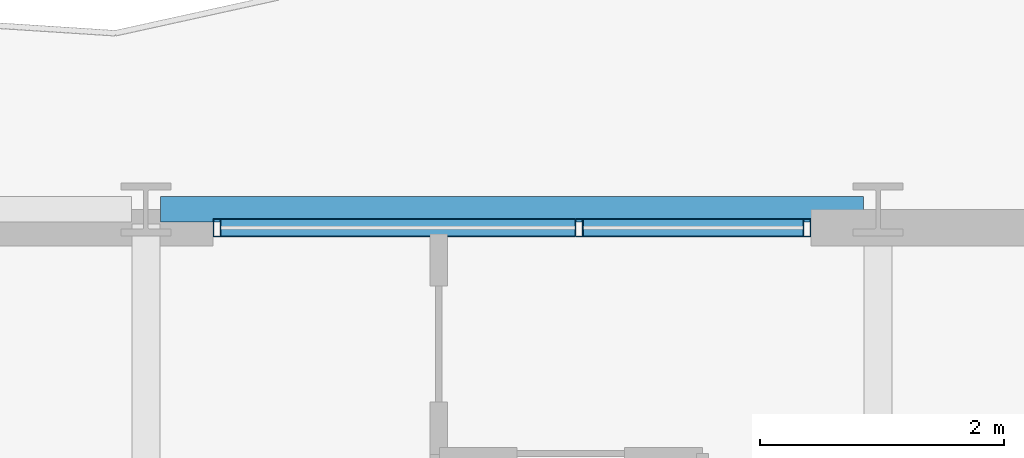
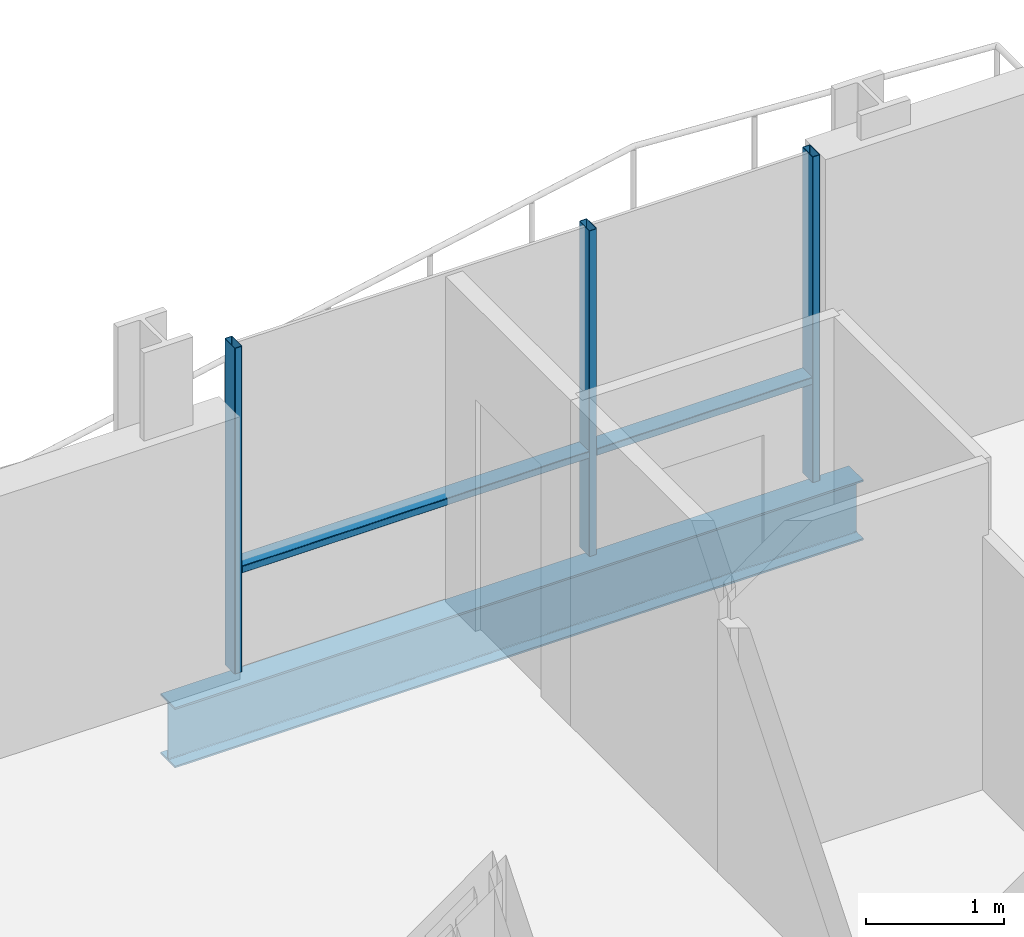
# One storey, part 24 of 40: 5 members, 1 beam, 1 element without a shape of its own.
"""IFC4 building model written with IfcOpenShell, lengths in metres."""

from ifc_helpers import new_model, si_unit, direction, frame, origin, origin_2d, place, context, subcontext, project, spatial, hollow_rectangle, i_section, extrude, material, layer, layer_set, material_profile, profile_set, type_object, element, aggregate, save


model = new_model("IFC4")

# Units and contexts
model_context = context("Model", 3, precision=1e-05, world=origin(), true_north=direction((0.0, 1.0)))
body_context = subcontext(model_context, "Body", "Model", "MODEL_VIEW")
ifc_project = project(units=[si_unit("LENGTHUNIT", "METRE"), si_unit("AREAUNIT", "SQUARE_METRE"), si_unit("VOLUMEUNIT", "CUBIC_METRE"), si_unit("PLANEANGLEUNIT", "RADIAN"), si_unit("MASSUNIT", "GRAM", prefix="KILO")], contexts=[model_context])

# Site, building, storey
site_placement = place(None, origin())
site = spatial("IfcSite", under=ifc_project, at=site_placement, CompositionType="ELEMENT")
building_placement = place(site_placement, origin())
building = spatial("IfcBuilding", under=site, at=building_placement, Name="Brevholm Reach", CompositionType="ELEMENT")
storey_placement = place(building_placement, frame((0.0, 0.0, 125.199951171875)))
storey = spatial("IfcBuildingStorey", under=building, at=storey_placement, Name="L37", CompositionType="ELEMENT", Elevation=125.199951171875)

# Beam
ifc_material_1 = material(Name="Structural Steel S355J2", Category="steel")
ifc_material_profile_1 = material_profile(ifc_material_1, i_section(OverallWidth=0.209228515625, OverallDepth=0.533203125, WebThickness=0.010009765625, FlangeThickness=0.015625, FilletRadius=0.0126953125, at=origin_2d()), Name="UKB 533x210x92")
ifc_profile_set_1 = profile_set([ifc_material_profile_1], Name="Structural Steel S355J2")
beam_type = type_object("IfcBeamType", Name="BM-SP533", PredefinedType="SPANDREL", material=ifc_profile_set_1)
beam_placement = place(storey_placement, frame((48.1201171875, 31.0, -0.486572265625), z_axis=(1.0, 0.0, 0.0), x_axis=(0.0, 1.0, 0.0)))
element("IfcBeam", 1, at=beam_placement, inside=storey, type_object=beam_type, Name="L37 SP-02 Framing Beam", PredefinedType="SPANDREL", context=body_context, shape_type="SweptSolid", body=[
    extrude(i_section(OverallWidth=0.209228515625, OverallDepth=0.533203125, WebThickness=0.010009765625, FlangeThickness=0.015625, FilletRadius=0.0126953125, at=origin_2d()), origin(), (0.0, 0.0, 1.0), 5.759765625),
])

# Curtain wall, members
ifc_material_2 = material(Name="Dark Anodised Aluminium 6063-T6 and Solar-Control Glass", Category="aluminium")
ifc_layer = layer(ifc_material_2, 0.14990234375)
ifc_layer_set = layer_set([ifc_layer], Name="Dark Anodised Aluminium 6063-T6 and Solar-Control Glass")
curtain_wall_type = type_object("IfcCurtainWallType", Name="CW-01", PredefinedType="NOTDEFINED", material=ifc_layer_set)
curtain_wall_placement = place(storey_placement, origin())
curtain_wall = element("IfcCurtainWall", 2, at=curtain_wall_placement, inside=storey, type_object=curtain_wall_type, Name="L37 Curtain Wall CW-01", PredefinedType="NOTDEFINED")
ifc_material_3 = material(Name="Dark Anodised Aluminium 6063-T6", Category="aluminium")
ifc_material_profile_2 = material_profile(ifc_material_3, hollow_rectangle(XDim=0.06494140625, YDim=0.14990234375, WallThickness=0.0048828125, InnerFilletRadius=0.0048828125, OuterFilletRadius=0.010009765625, at=origin_2d()), Name="RHS 150x65x5")
ifc_profile_set_2 = profile_set([ifc_material_profile_2], Name="Dark Anodised Aluminium 6063-T6")
member_type_1 = type_object("IfcMemberType", Name="CWM-150", PredefinedType="MULLION", material=ifc_profile_set_2)
member_1_placement = place(storey_placement, frame((48.58251953125, 30.85009765625, 0.0), z_axis=(0.0, 0.0, 1.0), x_axis=(1.0, 0.0, 0.0)))
member_1 = element("IfcMember", 3, at=member_1_placement, type_object=member_type_1, Name="CM-150 Mullion 1", PredefinedType="MULLION", context=body_context, shape_type="SweptSolid", body=[
    extrude(hollow_rectangle(XDim=0.06494140625, YDim=0.14990234375, WallThickness=0.0048828125, InnerFilletRadius=0.0048828125, OuterFilletRadius=0.010009765625, at=origin_2d()), origin(), (0.0, 0.0, 1.0), 2.880126953125),
])
member_2_placement = place(storey_placement, frame((51.550048828125, 30.85009765625, 0.0), z_axis=(0.0, 0.0, 1.0), x_axis=(1.0, 0.0, 0.0)))
member_2 = element("IfcMember", 4, at=member_2_placement, type_object=member_type_1, Name="CM-150 Mullion 2", PredefinedType="MULLION", context=body_context, shape_type="SweptSolid", body=[
    extrude(hollow_rectangle(XDim=0.06494140625, YDim=0.14990234375, WallThickness=0.0048828125, InnerFilletRadius=0.0048828125, OuterFilletRadius=0.010009765625, at=origin_2d()), origin(), (0.0, 0.0, 1.0), 2.880126953125),
])
member_3_placement = place(storey_placement, frame((53.41748046875, 30.85009765625, 0.0), z_axis=(0.0, 0.0, 1.0), x_axis=(1.0, 0.0, 0.0)))
member_3 = element("IfcMember", 5, at=member_3_placement, type_object=member_type_1, Name="CM-150 Mullion 3", PredefinedType="MULLION", context=body_context, shape_type="SweptSolid", body=[
    extrude(hollow_rectangle(XDim=0.06494140625, YDim=0.14990234375, WallThickness=0.0048828125, InnerFilletRadius=0.0048828125, OuterFilletRadius=0.010009765625, at=origin_2d()), origin(), (0.0, 0.0, 1.0), 2.880126953125),
])
ifc_material_4 = material(Name="Dark Anodised Aluminium 6063-T6", Category="aluminium")
ifc_material_profile_3 = material_profile(ifc_material_4, hollow_rectangle(XDim=0.06494140625, YDim=0.14990234375, WallThickness=0.0048828125, InnerFilletRadius=0.0048828125, OuterFilletRadius=0.010009765625, at=origin_2d()), Name="RHS 150x65x5")
ifc_profile_set_3 = profile_set([ifc_material_profile_3], Name="Dark Anodised Aluminium 6063-T6")
member_type_2 = type_object("IfcMemberType", Name="CWT-150", PredefinedType="NOTDEFINED", material=ifc_profile_set_3)
member_4_placement = place(storey_placement, frame((48.614990234375, 30.85009765625, 0.900146484375), z_axis=(1.0, 0.0, 0.0), x_axis=(0.0, 0.0, 1.0)))
member_4 = element("IfcMember", 6, at=member_4_placement, type_object=member_type_2, Name="CT-150 Transom 1.1", ObjectType="TRANSOM", PredefinedType="USERDEFINED", context=body_context, shape_type="SweptSolid", body=[
    extrude(hollow_rectangle(XDim=0.06494140625, YDim=0.14990234375, WallThickness=0.0048828125, InnerFilletRadius=0.0048828125, OuterFilletRadius=0.010009765625, at=origin_2d()), origin(), (0.0, 0.0, 1.0), 2.902587890625),
])
member_5_placement = place(storey_placement, frame((51.58251953125, 30.85009765625, 0.900146484375), z_axis=(1.0, 0.0, 0.0), x_axis=(0.0, 0.0, 1.0)))
member_5 = element("IfcMember", 7, at=member_5_placement, type_object=member_type_2, Name="CT-150 Transom 2.1", ObjectType="TRANSOM", PredefinedType="USERDEFINED", context=body_context, shape_type="SweptSolid", body=[
    extrude(hollow_rectangle(XDim=0.06494140625, YDim=0.14990234375, WallThickness=0.0048828125, InnerFilletRadius=0.0048828125, OuterFilletRadius=0.010009765625, at=origin_2d()), origin(), (0.0, 0.0, 1.0), 1.802490234375),
])
aggregate(curtain_wall, [member_1, member_2, member_3, member_4, member_5])

save(model, "model.ifc")
